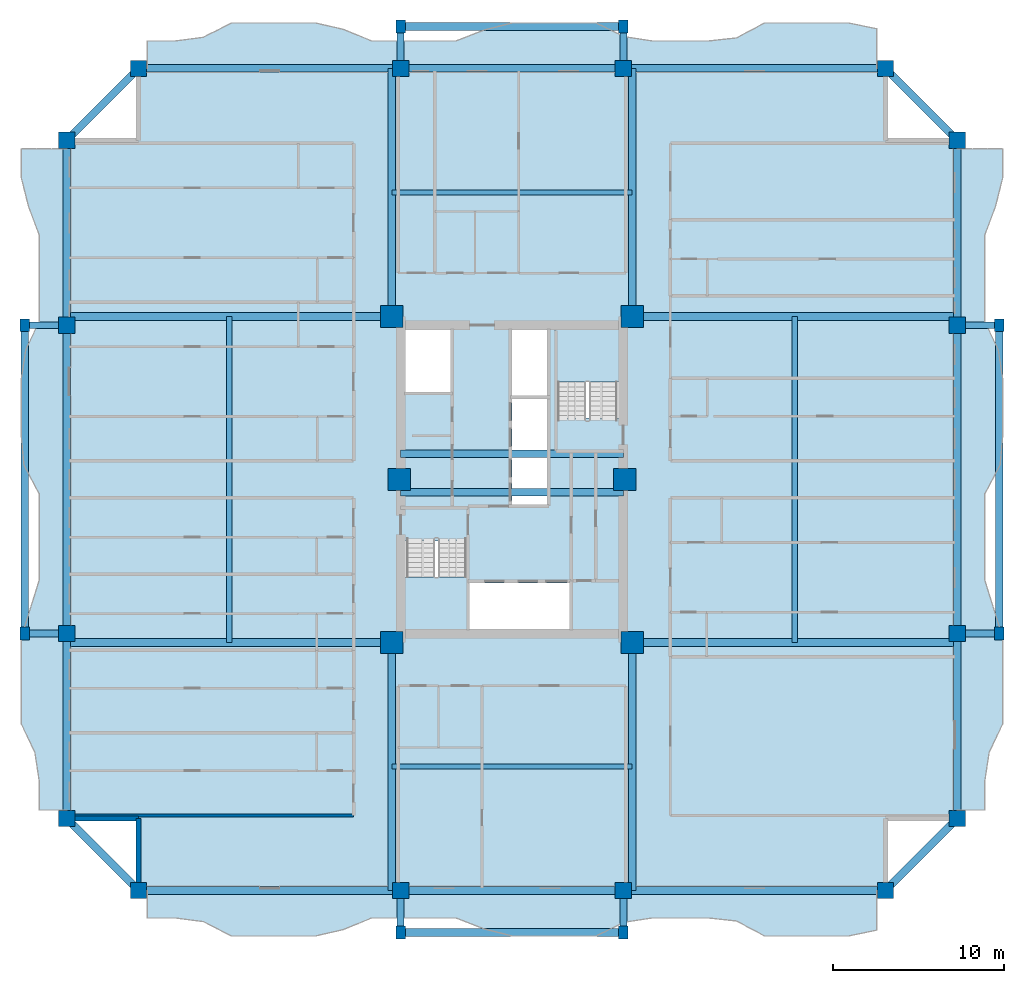
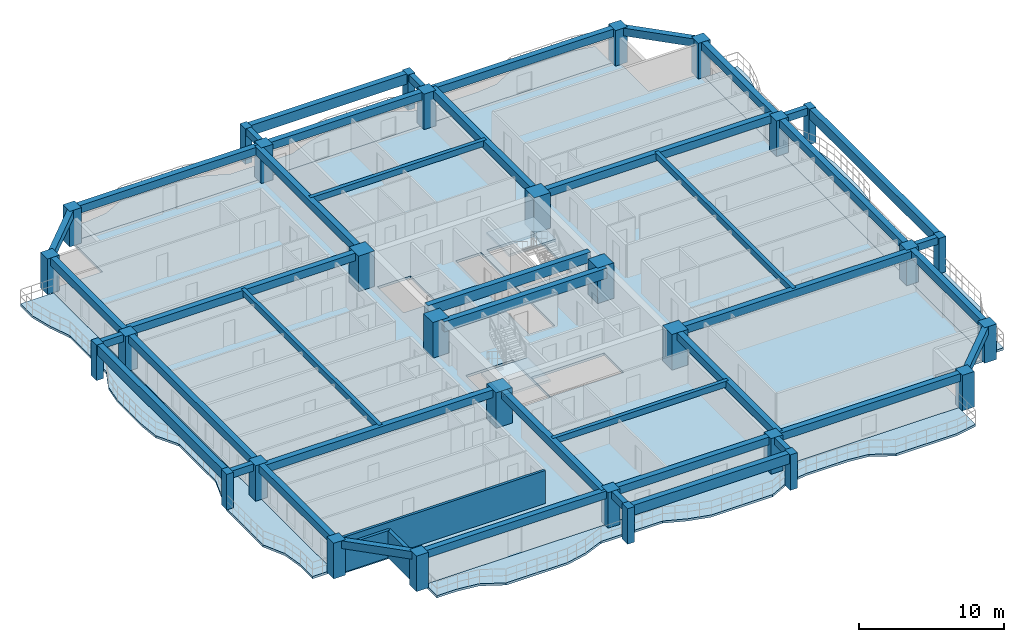
# One storey, part 1 of 13: 42 beams, 30 columns, 7 slabs, 3 walls, 2 elements without a shape of their own.
"""IFC4 building model written with IfcOpenShell, lengths in metres."""

from ifc_helpers import new_model, si_unit, direction, frame, frame_2d, origin, origin_2d, place, context, subcontext, project, spatial, polyline, rectangle, outline, extrude, source, transform, mapped, material, layer, layer_set, material_profile, profile_set, type_object, element, aggregate, save


model = new_model("IFC4")

# Units and contexts
model_context = context("Model", 3, precision=1e-05, world=origin(), true_north=direction((0.0, 1.0)))
body_context = subcontext(model_context, "Body", "Model", "MODEL_VIEW")
ifc_project = project(units=[si_unit("LENGTHUNIT", "METRE"), si_unit("AREAUNIT", "SQUARE_METRE"), si_unit("VOLUMEUNIT", "CUBIC_METRE"), si_unit("PLANEANGLEUNIT", "RADIAN"), si_unit("MASSUNIT", "GRAM", prefix="KILO")], contexts=[model_context])

# Site, building, storey
site_placement = place(None, origin())
site = spatial("IfcSite", under=ifc_project, at=site_placement, CompositionType="ELEMENT")
building_placement = place(site_placement, origin())
building = spatial("IfcBuilding", under=site, at=building_placement, Name="Saelheon Loggia Tower", CompositionType="ELEMENT")
storey_placement = place(building_placement, frame((0.0, 0.0, 132.75)))
storey = spatial("IfcBuildingStorey", under=building, at=storey_placement, Name="L42", CompositionType="ELEMENT", Elevation=132.75)

# Columns
ifc_material_1 = material(Name="Precast Concrete C45/55", Category="concrete")
ifc_material_profile_1 = material_profile(ifc_material_1, rectangle(XDim=0.550048828125, YDim=0.75, at=origin_2d()), Name="RC-550x750")
ifc_profile_set_1 = profile_set([ifc_material_profile_1], Name="Precast Concrete C45/55")
column_type_1 = type_object("IfcColumnType", Name="Col_Loggia_Pilaster_750", PredefinedType="PILASTER", material=ifc_profile_set_1)
shared_shape_1 = source(origin(), body_context, "Body", "SweptSolid", [
    extrude(rectangle(XDim=0.550048828125, YDim=0.75, at=origin_2d()), origin(), (0.0, 0.0, 1.0), 3.0),
])
for number, where, z_axis, x_axis, name in (
    (1, (31.5, 0.550048828125, 0.0), (0.0, 0.0, 1.0), (1.0, 0.0, 0.0), "L42 Loggia Frame Pilaster LP-S1"),
    (2, (44.5, 0.550048828125, 0.0), (0.0, 0.0, 1.0), (1.0, 0.0, 0.0), "L42 Loggia Frame Pilaster LP-S2"),
    (3, (31.5, 53.449951171875, 0.0), (0.0, 0.0, 1.0), (1.0, 0.0, 0.0), "L42 Loggia Frame Pilaster LP-N1"),
    (4, (44.5, 53.449951171875, 0.0), (0.0, 0.0, 1.0), (1.0, 0.0, 0.0), "L42 Loggia Frame Pilaster LP-N2"),
    (5, (66.449951171875, 18.0, 0.0), (0.0, 0.0, 1.0), (1.0, 0.0, 0.0), "L42 Loggia Frame Pilaster LP-E1"),
    (6, (66.449951171875, 36.0, 0.0), (0.0, 0.0, 1.0), (1.0, 0.0, 0.0), "L42 Loggia Frame Pilaster LP-E2"),
    (7, (9.550048828125, 18.0, 0.0), (0.0, 0.0, 1.0), (1.0, 0.0, 0.0), "L42 Loggia Frame Pilaster LP-W1"),
    (8, (9.550048828125, 36.0, 0.0), (0.0, 0.0, 1.0), (1.0, 0.0, 0.0), "L42 Loggia Frame Pilaster LP-W2"),
):
    element("IfcColumn", number, at=place(storey_placement, frame(where, z_axis=z_axis, x_axis=x_axis)), inside=storey, type_object=column_type_1, Name=name, PredefinedType="PILASTER", context=body_context, shape_type="MappedRepresentation", body=[
        mapped(shared_shape_1, transform((0.0, 0.0, 0.0), scale=1.0)),
    ])
ifc_material_2 = material(Name="Concrete C60/75", Category="concrete")
ifc_material_profile_2 = material_profile(ifc_material_2, rectangle(XDim=1.300048828125, YDim=1.300048828125, at=origin_2d()), Name="RC-1300x1300")
ifc_profile_set_2 = profile_set([ifc_material_profile_2], Name="Concrete C60/75")
column_type_2 = type_object("IfcColumnType", Name="Col_Core_RC1300", PredefinedType="COLUMN", material=ifc_profile_set_2)
shared_shape_2 = source(origin(), body_context, "Body", "SweptSolid", [
    extrude(rectangle(XDim=1.300048828125, YDim=1.300048828125, at=origin_2d()), origin(), (0.0, 0.0, 1.0), 3.0),
])
for number, where, z_axis, x_axis, name in (
    (9, (30.97998046875, 17.47998046875, 0.0), (0.0, 0.0, 1.0), (1.0, 0.0, 0.0), "L42 Core Column CR-SW"),
    (10, (45.02001953125, 17.47998046875, 0.0), (0.0, 0.0, 1.0), (1.0, 0.0, 0.0), "L42 Core Column CR-SE"),
    (11, (30.97998046875, 36.52001953125, 0.0), (0.0, 0.0, 1.0), (1.0, 0.0, 0.0), "L42 Core Column CR-NW"),
    (12, (45.02001953125, 36.52001953125, 0.0), (0.0, 0.0, 1.0), (1.0, 0.0, 0.0), "L42 Core Column CR-NE"),
    (13, (31.419921875, 27.0, 0.0), (0.0, 0.0, 1.0), (1.0, 0.0, 0.0), "L42 Core Column CR-MW"),
    (14, (44.580078125, 27.0, 0.0), (0.0, 0.0, 1.0), (1.0, 0.0, 0.0), "L42 Core Column CR-ME"),
):
    element("IfcColumn", number, at=place(storey_placement, frame(where, z_axis=z_axis, x_axis=x_axis)), inside=storey, type_object=column_type_2, Name=name, PredefinedType="COLUMN", context=body_context, shape_type="MappedRepresentation", body=[
        mapped(shared_shape_2, transform((0.0, 0.0, 0.0), scale=1.0)),
    ])
ifc_material_3 = material(Name="Concrete C50/60", Category="concrete")
ifc_material_profile_3 = material_profile(ifc_material_3, rectangle(XDim=0.949951171875, YDim=0.949951171875, at=origin_2d()), Name="RC-950x950")
ifc_profile_set_3 = profile_set([ifc_material_profile_3], Name="Concrete C50/60")
column_type_3 = type_object("IfcColumnType", Name="Col_Perim_RC950", PredefinedType="COLUMN", material=ifc_profile_set_3)
shared_shape_3 = source(origin(), body_context, "Body", "SweptSolid", [
    extrude(rectangle(XDim=0.949951171875, YDim=0.949951171875, at=origin_2d()), origin(), (0.0, 0.0, 1.0), 3.0),
])
for number, where, z_axis, x_axis, name in (
    (15, (16.199951171875, 3.0, 0.0), (0.0, 0.0, 1.0), (1.0, 0.0, 0.0), "L42 Perimeter Column TP-S1"),
    (16, (31.5, 3.0, 0.0), (0.0, 0.0, 1.0), (1.0, 0.0, 0.0), "L42 Perimeter Column TP-SA"),
    (17, (44.5, 3.0, 0.0), (0.0, 0.0, 1.0), (1.0, 0.0, 0.0), "L42 Perimeter Column TP-SB"),
    (18, (59.800048828125, 3.0, 0.0), (0.0, 0.0, 1.0), (1.0, 0.0, 0.0), "L42 Perimeter Column TP-S2"),
    (19, (64.0, 7.199951171875, 0.0), (0.0, 0.0, 1.0), (1.0, 0.0, 0.0), "L42 Perimeter Column TP-E1"),
    (20, (64.0, 18.0, 0.0), (0.0, 0.0, 1.0), (1.0, 0.0, 0.0), "L42 Perimeter Column TP-EA"),
    (21, (64.0, 36.0, 0.0), (0.0, 0.0, 1.0), (1.0, 0.0, 0.0), "L42 Perimeter Column TP-EB"),
    (22, (64.0, 46.800048828125, 0.0), (0.0, 0.0, 1.0), (1.0, 0.0, 0.0), "L42 Perimeter Column TP-E2"),
    (23, (59.800048828125, 51.0, 0.0), (0.0, 0.0, 1.0), (1.0, 0.0, 0.0), "L42 Perimeter Column TP-N2"),
    (24, (44.5, 51.0, 0.0), (0.0, 0.0, 1.0), (1.0, 0.0, 0.0), "L42 Perimeter Column TP-NB"),
    (25, (31.5, 51.0, 0.0), (0.0, 0.0, 1.0), (1.0, 0.0, 0.0), "L42 Perimeter Column TP-NA"),
    (26, (16.199951171875, 51.0, 0.0), (0.0, 0.0, 1.0), (1.0, 0.0, 0.0), "L42 Perimeter Column TP-N1"),
    (27, (12.0, 46.800048828125, 0.0), (0.0, 0.0, 1.0), (1.0, 0.0, 0.0), "L42 Perimeter Column TP-W2"),
    (28, (12.0, 36.0, 0.0), (0.0, 0.0, 1.0), (1.0, 0.0, 0.0), "L42 Perimeter Column TP-WB"),
    (29, (12.0, 18.0, 0.0), (0.0, 0.0, 1.0), (1.0, 0.0, 0.0), "L42 Perimeter Column TP-WA"),
    (30, (12.0, 7.199951171875, 0.0), (0.0, 0.0, 1.0), (1.0, 0.0, 0.0), "L42 Perimeter Column TP-W1"),
):
    element("IfcColumn", number, at=place(storey_placement, frame(where, z_axis=z_axis, x_axis=x_axis)), inside=storey, type_object=column_type_3, Name=name, PredefinedType="COLUMN", context=body_context, shape_type="MappedRepresentation", body=[
        mapped(shared_shape_3, transform((0.0, 0.0, 0.0), scale=1.0)),
    ])

# Beams
ifc_material_profile_4 = material_profile(ifc_material_3, rectangle(XDim=0.449951171875, YDim=0.85009765625, at=origin_2d()), Name="RC-450x850")
ifc_profile_set_4 = profile_set([ifc_material_profile_4], Name="Concrete C50/60")
beam_type_1 = type_object("IfcBeamType", Name="Beam_CoreLintel_RC450x850", PredefinedType="LINTEL", material=ifc_profile_set_4)
shared_shape_4 = source(origin(), body_context, "Body", "SweptSolid", [
    extrude(rectangle(XDim=0.449951171875, YDim=0.85009765625, at=origin_2d()), origin(), (0.0, 0.0, 1.0), 13.0),
])
for number, where, z_axis, x_axis, name in (
    (31, (31.5, 26.25, 2.574951171875), (1.0, 0.0, 0.0), (0.0, 1.0, 0.0), "L42 Core Coupling Lintel 1"),
    (32, (31.5, 28.5, 2.574951171875), (1.0, 0.0, 0.0), (0.0, 1.0, 0.0), "L42 Core Coupling Lintel 2"),
):
    element("IfcBeam", number, at=place(storey_placement, frame(where, z_axis=z_axis, x_axis=x_axis)), inside=storey, type_object=beam_type_1, Name=name, PredefinedType="LINTEL", context=body_context, shape_type="MappedRepresentation", body=[
        mapped(shared_shape_4, transform((0.0, 0.0, 0.0), scale=1.0)),
    ])
ifc_material_profile_5 = material_profile(ifc_material_1, rectangle(XDim=0.449951171875, YDim=0.85009765625, at=origin_2d()), Name="RC-450x850")
ifc_profile_set_5 = profile_set([ifc_material_profile_5], Name="Precast Concrete C45/55")
beam_type_2 = type_object("IfcBeamType", Name="Beam_LoggiaSpandrel_RC450x850", PredefinedType="SPANDREL", material=ifc_profile_set_5)
for number, where, z_axis, x_axis, name in (
    (33, (31.5, 0.550048828125, 2.574951171875), (1.0, 0.0, 0.0), (0.0, 1.0, 0.0), "L42 Loggia Spandrel Beam S"),
    (34, (31.5, 53.449951171875, 2.574951171875), (1.0, 0.0, 0.0), (0.0, 1.0, 0.0), "L42 Loggia Spandrel Beam N"),
):
    element("IfcBeam", number, at=place(storey_placement, frame(where, z_axis=z_axis, x_axis=x_axis)), inside=storey, type_object=beam_type_2, Name=name, PredefinedType="SPANDREL", context=body_context, shape_type="MappedRepresentation", body=[
        mapped(shared_shape_4, transform((0.0, 0.0, 0.0), scale=1.0)),
    ])
ifc_material_profile_6 = material_profile(ifc_material_1, rectangle(XDim=0.39990234375, YDim=0.60009765625, at=origin_2d()), Name="RC-400x600")
ifc_profile_set_6 = profile_set([ifc_material_profile_6], Name="Precast Concrete C45/55")
beam_type_3 = type_object("IfcBeamType", Name="Beam_LoggiaTie_RC400x600", PredefinedType="BEAM", material=ifc_profile_set_6)
shared_shape_5 = source(origin(), body_context, "Body", "SweptSolid", [
    extrude(rectangle(XDim=0.39990234375, YDim=0.60009765625, at=origin_2d()), origin(), (0.0, 0.0, 1.0), 2.449951171875),
])
for number, where, z_axis, x_axis, name in (
    (35, (31.5, 3.0, 2.699951171875), (0.0, -1.0, 0.0), (1.0, 0.0, 0.0), "L42 Loggia Frame Tie Beam LP-S1"),
    (36, (44.5, 3.0, 2.699951171875), (0.0, -1.0, 0.0), (1.0, 0.0, 0.0), "L42 Loggia Frame Tie Beam LP-S2"),
    (37, (31.5, 51.0, 2.699951171875), (0.0, 1.0, 0.0), (-1.0, 0.0, 0.0), "L42 Loggia Frame Tie Beam LP-N1"),
    (38, (44.5, 51.0, 2.699951171875), (0.0, 1.0, 0.0), (-1.0, 0.0, 0.0), "L42 Loggia Frame Tie Beam LP-N2"),
    (39, (64.0, 18.0, 2.699951171875), (1.0, 0.0, 0.0), (0.0, 1.0, 0.0), "L42 Loggia Frame Tie Beam LP-E1"),
    (40, (64.0, 36.0, 2.699951171875), (1.0, 0.0, 0.0), (0.0, 1.0, 0.0), "L42 Loggia Frame Tie Beam LP-E2"),
    (41, (12.0, 18.0, 2.699951171875), (-1.0, 0.0, 0.0), (0.0, -1.0, 0.0), "L42 Loggia Frame Tie Beam LP-W1"),
    (42, (12.0, 36.0, 2.699951171875), (-1.0, 0.0, 0.0), (0.0, -1.0, 0.0), "L42 Loggia Frame Tie Beam LP-W2"),
):
    element("IfcBeam", number, at=place(storey_placement, frame(where, z_axis=z_axis, x_axis=x_axis)), inside=storey, type_object=beam_type_3, Name=name, PredefinedType="BEAM", context=body_context, shape_type="MappedRepresentation", body=[
        mapped(shared_shape_5, transform((0.0, 0.0, 0.0), scale=1.0)),
    ])
shared_shape_6 = source(origin(), body_context, "Body", "SweptSolid", [
    extrude(rectangle(XDim=0.449951171875, YDim=0.85009765625, at=origin_2d()), origin(), (0.0, 0.0, 1.0), 18.0),
])
for number, where, z_axis, x_axis, name in (
    (43, (66.449951171875, 18.0, 2.574951171875), (0.0, 1.0, 0.0), (-1.0, 0.0, 0.0), "L42 Loggia Spandrel Beam E"),
    (44, (9.550048828125, 18.0, 2.574951171875), (0.0, 1.0, 0.0), (-1.0, 0.0, 0.0), "L42 Loggia Spandrel Beam W"),
):
    element("IfcBeam", number, at=place(storey_placement, frame(where, z_axis=z_axis, x_axis=x_axis)), inside=storey, type_object=beam_type_2, Name=name, PredefinedType="SPANDREL", context=body_context, shape_type="MappedRepresentation", body=[
        mapped(shared_shape_6, transform((0.0, 0.0, 0.0), scale=1.0)),
    ])
ifc_material_4 = material(Name="Concrete C40/50", Category="concrete")
ifc_material_profile_7 = material_profile(ifc_material_4, rectangle(XDim=0.449951171875, YDim=0.64990234375, at=origin_2d()), Name="RC-450x650")
ifc_profile_set_7 = profile_set([ifc_material_profile_7], Name="Concrete C40/50")
beam_type_4 = type_object("IfcBeamType", Name="Beam_PerimTower_RC450x650", PredefinedType="BEAM", material=ifc_profile_set_7)
shared_shape_7 = source(origin(), body_context, "Body", "SweptSolid", [
    extrude(rectangle(XDim=0.449951171875, YDim=0.64990234375, at=origin_2d()), origin(), (0.0, 0.0, 1.0), 15.300048828125),
])
for number, where, z_axis, x_axis, name in (
    (45, (16.199951171875, 3.0, 2.675048828125), (1.0, 0.0, 0.0), (0.0, 1.0, 0.0), "L42 Perimeter Frame Girder 01"),
    (46, (44.5, 3.0, 2.675048828125), (1.0, 0.0, 0.0), (0.0, 1.0, 0.0), "L42 Perimeter Frame Girder 03"),
    (47, (59.800048828125, 51.0, 2.675048828125), (-1.0, 0.0, 0.0), (0.0, -1.0, 0.0), "L42 Perimeter Frame Girder 09"),
    (48, (31.5, 51.0, 2.675048828125), (-1.0, 0.0, 0.0), (0.0, -1.0, 0.0), "L42 Perimeter Frame Girder 11"),
):
    element("IfcBeam", number, at=place(storey_placement, frame(where, z_axis=z_axis, x_axis=x_axis)), inside=storey, type_object=beam_type_4, Name=name, PredefinedType="BEAM", context=body_context, shape_type="MappedRepresentation", body=[
        mapped(shared_shape_7, transform((0.0, 0.0, 0.0), scale=1.0)),
    ])
shared_shape_8 = source(origin(), body_context, "Body", "SweptSolid", [
    extrude(rectangle(XDim=0.449951171875, YDim=0.64990234375, at=origin_2d()), origin(), (0.0, 0.0, 1.0), 13.0),
])
for number, where, z_axis, x_axis, name in (
    (49, (31.5, 3.0, 2.675048828125), (1.0, 0.0, 0.0), (0.0, 1.0, 0.0), "L42 Perimeter Frame Girder 02"),
    (50, (44.5, 51.0, 2.675048828125), (-1.0, 0.0, 0.0), (0.0, -1.0, 0.0), "L42 Perimeter Frame Girder 10"),
):
    element("IfcBeam", number, at=place(storey_placement, frame(where, z_axis=z_axis, x_axis=x_axis)), inside=storey, type_object=beam_type_4, Name=name, PredefinedType="BEAM", context=body_context, shape_type="MappedRepresentation", body=[
        mapped(shared_shape_8, transform((0.0, 0.0, 0.0), scale=1.0)),
    ])
shared_shape_9 = source(origin(), body_context, "Body", "SweptSolid", [
    extrude(rectangle(XDim=0.449951171875, YDim=0.64990234375, at=origin_2d()), origin(), (0.0, 0.0, 1.0), 5.939697265625),
])
for number, where, z_axis, x_axis, name in (
    (51, (59.800048828125, 3.0, 2.675048828125), (0.707106781187, 0.707106781187, 0.0), (-0.707106781187, 0.707106781187, 0.0), "L42 Perimeter Frame Girder 04"),
    (52, (64.0, 46.800048828125, 2.675048828125), (-0.707106781187, 0.707106781187, 0.0), (-0.707106781187, -0.707106781187, 0.0), "L42 Perimeter Frame Girder 08"),
    (53, (16.199951171875, 51.0, 2.675048828125), (-0.707106781187, -0.707106781187, 0.0), (0.707106781187, -0.707106781187, 0.0), "L42 Perimeter Frame Girder 12"),
    (54, (12.0, 7.199951171875, 2.675048828125), (0.707106781187, -0.707106781187, 0.0), (0.707106781187, 0.707106781187, 0.0), "L42 Perimeter Frame Girder 16"),
):
    element("IfcBeam", number, at=place(storey_placement, frame(where, z_axis=z_axis, x_axis=x_axis)), inside=storey, type_object=beam_type_4, Name=name, PredefinedType="BEAM", context=body_context, shape_type="MappedRepresentation", body=[
        mapped(shared_shape_9, transform((0.0, 0.0, 0.0), scale=1.0)),
    ])
shared_shape_10 = source(origin(), body_context, "Body", "SweptSolid", [
    extrude(rectangle(XDim=0.449951171875, YDim=0.64990234375, at=origin_2d()), origin(), (0.0, 0.0, 1.0), 10.800048828125),
])
for number, where, z_axis, x_axis, name in (
    (55, (64.0, 7.199951171875, 2.675048828125), (0.0, 1.0, 0.0), (-1.0, 0.0, 0.0), "L42 Perimeter Frame Girder 05"),
    (56, (64.0, 36.0, 2.675048828125), (0.0, 1.0, 0.0), (-1.0, 0.0, 0.0), "L42 Perimeter Frame Girder 07"),
    (57, (12.0, 46.800048828125, 2.675048828125), (0.0, -1.0, 0.0), (1.0, 0.0, 0.0), "L42 Perimeter Frame Girder 13"),
    (58, (12.0, 18.0, 2.675048828125), (0.0, -1.0, 0.0), (1.0, 0.0, 0.0), "L42 Perimeter Frame Girder 15"),
):
    element("IfcBeam", number, at=place(storey_placement, frame(where, z_axis=z_axis, x_axis=x_axis)), inside=storey, type_object=beam_type_4, Name=name, PredefinedType="BEAM", context=body_context, shape_type="MappedRepresentation", body=[
        mapped(shared_shape_10, transform((0.0, 0.0, 0.0), scale=1.0)),
    ])
shared_shape_11 = source(origin(), body_context, "Body", "SweptSolid", [
    extrude(rectangle(XDim=0.449951171875, YDim=0.64990234375, at=origin_2d()), origin(), (0.0, 0.0, 1.0), 18.0),
])
for number, where, z_axis, x_axis, name in (
    (59, (64.0, 18.0, 2.675048828125), (0.0, 1.0, 0.0), (-1.0, 0.0, 0.0), "L42 Perimeter Frame Girder 06"),
    (60, (12.0, 36.0, 2.675048828125), (0.0, -1.0, 0.0), (1.0, 0.0, 0.0), "L42 Perimeter Frame Girder 14"),
):
    element("IfcBeam", number, at=place(storey_placement, frame(where, z_axis=z_axis, x_axis=x_axis)), inside=storey, type_object=beam_type_4, Name=name, PredefinedType="BEAM", context=body_context, shape_type="MappedRepresentation", body=[
        mapped(shared_shape_11, transform((0.0, 0.0, 0.0), scale=1.0)),
    ])
ifc_material_profile_8 = material_profile(ifc_material_4, rectangle(XDim=0.449951171875, YDim=0.64990234375, at=origin_2d()), Name="RC-450x650")
ifc_profile_set_8 = profile_set([ifc_material_profile_8], Name="Concrete C40/50")
beam_type_5 = type_object("IfcBeamType", Name="Beam_TowerGirder_RC450x650", PredefinedType="BEAM", material=ifc_profile_set_8)
shared_shape_12 = source(origin(), body_context, "Body", "SweptSolid", [
    extrude(rectangle(XDim=0.449951171875, YDim=0.64990234375, at=origin_2d()), origin(), (0.0, 0.0, 1.0), 14.47998046875),
])
for number, where, z_axis, x_axis, name in (
    (61, (30.97998046875, 17.47998046875, 2.675048828125), (0.0, -1.0, 0.0), (1.0, 0.0, 0.0), "L42 Radial Floor Girder RAD-SW-S"),
    (62, (45.02001953125, 17.47998046875, 2.675048828125), (0.0, -1.0, 0.0), (1.0, 0.0, 0.0), "L42 Radial Floor Girder RAD-SE-S"),
    (63, (30.97998046875, 36.52001953125, 2.675048828125), (0.0, 1.0, 0.0), (-1.0, 0.0, 0.0), "L42 Radial Floor Girder RAD-NW-N"),
    (64, (45.02001953125, 36.52001953125, 2.675048828125), (0.0, 1.0, 0.0), (-1.0, 0.0, 0.0), "L42 Radial Floor Girder RAD-NE-N"),
):
    element("IfcBeam", number, at=place(storey_placement, frame(where, z_axis=z_axis, x_axis=x_axis)), inside=storey, type_object=beam_type_5, Name=name, PredefinedType="BEAM", context=body_context, shape_type="MappedRepresentation", body=[
        mapped(shared_shape_12, transform((0.0, 0.0, 0.0), scale=1.0)),
    ])
shared_shape_13 = source(origin(), body_context, "Body", "SweptSolid", [
    extrude(rectangle(XDim=0.449951171875, YDim=0.64990234375, at=origin_2d()), origin(), (0.0, 0.0, 1.0), 18.97998046875),
])
for number, where, z_axis, x_axis, name in (
    (65, (30.97998046875, 17.47998046875, 2.675048828125), (-1.0, 0.0, 0.0), (0.0, -1.0, 0.0), "L42 Radial Floor Girder RAD-SW-W"),
    (66, (30.97998046875, 36.52001953125, 2.675048828125), (-1.0, 0.0, 0.0), (0.0, -1.0, 0.0), "L42 Radial Floor Girder RAD-NW-W"),
    (67, (45.02001953125, 17.47998046875, 2.675048828125), (1.0, 0.0, 0.0), (0.0, 1.0, 0.0), "L42 Radial Floor Girder RAD-SE-E"),
    (68, (45.02001953125, 36.52001953125, 2.675048828125), (1.0, 0.0, 0.0), (0.0, 1.0, 0.0), "L42 Radial Floor Girder RAD-NE-E"),
):
    element("IfcBeam", number, at=place(storey_placement, frame(where, z_axis=z_axis, x_axis=x_axis)), inside=storey, type_object=beam_type_5, Name=name, PredefinedType="BEAM", context=body_context, shape_type="MappedRepresentation", body=[
        mapped(shared_shape_13, transform((0.0, 0.0, 0.0), scale=1.0)),
    ])
ifc_material_profile_9 = material_profile(ifc_material_4, rectangle(XDim=0.300048828125, YDim=0.5, at=origin_2d()), Name="RC-300x500")
ifc_profile_set_9 = profile_set([ifc_material_profile_9], Name="Concrete C40/50")
beam_type_6 = type_object("IfcBeamType", Name="Beam_Joist_RC300x500", PredefinedType="JOIST", material=ifc_profile_set_9)
shared_shape_14 = source(origin(), body_context, "Body", "SweptSolid", [
    extrude(rectangle(XDim=0.300048828125, YDim=0.5, at=origin_2d()), origin(), (0.0, 0.0, 1.0), 14.0400390625),
])
for number, where, z_axis, x_axis, name in (
    (69, (30.97998046875, 10.239990234375, 2.75), (1.0, 0.0, 0.0), (0.0, 1.0, 0.0), "L42 South Floor Joist"),
    (70, (30.97998046875, 43.760009765625, 2.75), (1.0, 0.0, 0.0), (0.0, 1.0, 0.0), "L42 North Floor Joist"),
):
    element("IfcBeam", number, at=place(storey_placement, frame(where, z_axis=z_axis, x_axis=x_axis)), inside=storey, type_object=beam_type_6, Name=name, PredefinedType="JOIST", context=body_context, shape_type="MappedRepresentation", body=[
        mapped(shared_shape_14, transform((0.0, 0.0, 0.0), scale=1.0)),
    ])
shared_shape_15 = source(origin(), body_context, "Body", "SweptSolid", [
    extrude(rectangle(XDim=0.300048828125, YDim=0.5, at=origin_2d()), origin(), (0.0, 0.0, 1.0), 19.0400390625),
])
for number, where, z_axis, x_axis, name in (
    (71, (21.489990234375, 17.47998046875, 2.75), (0.0, 1.0, 0.0), (-1.0, 0.0, 0.0), "L42 West Floor Joist"),
    (72, (54.510009765625, 17.47998046875, 2.75), (0.0, 1.0, 0.0), (-1.0, 0.0, 0.0), "L42 East Floor Joist"),
):
    element("IfcBeam", number, at=place(storey_placement, frame(where, z_axis=z_axis, x_axis=x_axis)), inside=storey, type_object=beam_type_6, Name=name, PredefinedType="JOIST", context=body_context, shape_type="MappedRepresentation", body=[
        mapped(shared_shape_15, transform((0.0, 0.0, 0.0), scale=1.0)),
    ])

# Slabs
ifc_layer_1 = layer(ifc_material_1, 0.18994140625)
ifc_layer_set_1 = layer_set([ifc_layer_1], Name="Precast Concrete C45/55")
slab_type_1 = type_object("IfcSlabType", Name="Slab_Loggia_Ext_190", PredefinedType="FLOOR", material=ifc_layer_set_1)
slab_1_placement = place(storey_placement, frame((0.0, 0.0, -0.18994140625)))
element("IfcSlab", 73, at=slab_1_placement, inside=storey, type_object=slab_type_1, Name="L42 Loggia Balcony Slab S", PredefinedType="FLOOR", context=body_context, shape_type="SweptSolid", body=[
    extrude(outline(polyline([(16.699951171875, 1.39990234375), (18.33837890625, 1.39990234375), (19.976806640625, 1.185302734375), (21.615478515625, 0.35009765625), (23.25390625, 0.35009765625), (24.892333984375, 0.35009765625), (26.53076171875, 0.35009765625), (28.169189453125, 0.724609375), (29.8076171875, 1.39990234375), (31.4462890625, 1.39990234375), (33.084716796875, 1.39990234375), (34.72314453125, 1.39990234375), (36.361572265625, 0.76220703125), (38.0, 0.35009765625), (39.638427734375, 0.35009765625), (41.27685546875, 0.35009765625), (42.915283203125, 0.35009765625), (44.5537109375, 1.148681640625), (46.1923828125, 1.39990234375), (47.830810546875, 1.39990234375), (49.46923828125, 1.39990234375), (51.107666015625, 1.2216796875), (52.74609375, 0.35009765625), (54.384521484375, 0.35009765625), (56.023193359375, 0.35009765625), (57.66162109375, 0.35009765625), (59.300048828125, 0.687255859375), (59.300048828125, 3.0), (16.699951171875, 3.0), (16.699951171875, 1.39990234375)])), origin(), (0.0, 0.0, 1.0), 0.18994140625),
])
slab_2_placement = place(storey_placement, frame((0.0, 0.0, -0.18994140625)))
element("IfcSlab", 74, at=slab_2_placement, inside=storey, type_object=slab_type_1, Name="L42 Loggia Balcony Slab N", PredefinedType="FLOOR", context=body_context, shape_type="SweptSolid", body=[
    extrude(outline(polyline([(16.699951171875, 51.0), (59.300048828125, 51.0), (59.300048828125, 53.312744140625), (57.66162109375, 53.64990234375), (56.023193359375, 53.64990234375), (54.384521484375, 53.64990234375), (52.74609375, 53.64990234375), (51.107666015625, 52.7783203125), (49.46923828125, 52.60009765625), (47.830810546875, 52.60009765625), (46.1923828125, 52.60009765625), (44.5537109375, 52.851318359375), (42.915283203125, 53.64990234375), (41.27685546875, 53.64990234375), (39.638427734375, 53.64990234375), (38.0, 53.64990234375), (36.361572265625, 53.23779296875), (34.72314453125, 52.60009765625), (33.084716796875, 52.60009765625), (31.4462890625, 52.60009765625), (29.8076171875, 52.60009765625), (28.169189453125, 53.275390625), (26.53076171875, 53.64990234375), (24.892333984375, 53.64990234375), (23.25390625, 53.64990234375), (21.615478515625, 53.64990234375), (19.976806640625, 52.814697265625), (18.33837890625, 52.60009765625), (16.699951171875, 52.60009765625), (16.699951171875, 51.0)])), origin(), (0.0, 0.0, 1.0), 0.18994140625),
])
slab_3_placement = place(storey_placement, frame((0.0, 0.0, -0.18994140625)))
element("IfcSlab", 75, at=slab_3_placement, inside=storey, type_object=slab_type_1, Name="L42 Loggia Balcony Slab E", PredefinedType="FLOOR", context=body_context, shape_type="SweptSolid", body=[
    extrude(outline(polyline([(64.0, 7.699951171875), (65.60009765625, 7.699951171875), (65.60009765625, 9.37841796875), (65.856689453125, 11.056396484375), (66.64990234375, 12.73486328125), (66.64990234375, 14.4130859375), (66.64990234375, 16.09130859375), (66.64990234375, 17.76953125), (66.1240234375, 19.44775390625), (65.60009765625, 21.126220703125), (65.60009765625, 22.80419921875), (65.60009765625, 24.482666015625), (65.601318359375, 26.160888671875), (66.49365234375, 27.839111328125), (66.64990234375, 29.517333984375), (66.64990234375, 31.19580078125), (66.64990234375, 32.873779296875), (66.39208984375, 34.55224609375), (65.60009765625, 36.23046875), (65.60009765625, 37.90869140625), (65.60009765625, 39.5869140625), (65.60009765625, 41.26513671875), (66.22802734375, 42.943603515625), (66.64990234375, 44.62158203125), (66.64990234375, 46.300048828125), (64.0, 46.300048828125), (64.0, 7.699951171875)])), origin(), (0.0, 0.0, 1.0), 0.18994140625),
])
slab_4_placement = place(storey_placement, frame((0.0, 0.0, -0.18994140625)))
element("IfcSlab", 76, at=slab_4_placement, inside=storey, type_object=slab_type_1, Name="L42 Loggia Balcony Slab W", PredefinedType="FLOOR", context=body_context, shape_type="SweptSolid", body=[
    extrude(outline(polyline([(12.0, 7.699951171875), (12.0, 46.300048828125), (9.35009765625, 46.300048828125), (9.35009765625, 44.62158203125), (9.77197265625, 42.943603515625), (10.39990234375, 41.26513671875), (10.39990234375, 39.5869140625), (10.39990234375, 37.90869140625), (10.39990234375, 36.23046875), (9.60791015625, 34.55224609375), (9.35009765625, 32.873779296875), (9.35009765625, 31.19580078125), (9.35009765625, 29.517333984375), (9.50634765625, 27.839111328125), (10.398681640625, 26.160888671875), (10.39990234375, 24.482666015625), (10.39990234375, 22.80419921875), (10.39990234375, 21.126220703125), (9.8759765625, 19.44775390625), (9.35009765625, 17.76953125), (9.35009765625, 16.09130859375), (9.35009765625, 14.4130859375), (9.35009765625, 12.73486328125), (10.143310546875, 11.056396484375), (10.39990234375, 9.37841796875), (10.39990234375, 7.699951171875), (12.0, 7.699951171875)])), origin(), (0.0, 0.0, 1.0), 0.18994140625),
])

# Stair, slab
stair_type = type_object("IfcStairType", Name="Stair_Escape_Core", PredefinedType="HALF_TURN_STAIR", material=ifc_material_4)
stair_1_placement = place(storey_placement, origin())
stair_1 = element("IfcStair", 77, at=stair_1_placement, inside=storey, type_object=stair_type, Name="L42 Special Escape Stair ST1", PredefinedType="HALF_TURN_STAIR")
ifc_layer_2 = layer(ifc_material_4, 0.199951171875)
ifc_layer_set_2 = layer_set([ifc_layer_2], Name="Concrete C40/50")
slab_type_2 = type_object("IfcSlabType", Name="Slab_StairLanding_ST1", PredefinedType="LANDING", material=ifc_layer_set_2)
slab_5_placement = place(storey_placement, frame((0.0, 0.0, 1.300048828125)))
slab_5 = element("IfcSlab", 78, at=slab_5_placement, type_object=slab_type_2, Name="ST1 landing 1", PredefinedType="LANDING", context=body_context, shape_type="SweptSolid", body=[
    extrude(outline(polyline([(31.7099609375, 21.31005859375), (31.7099609375, 18.2099609375), (35.469970703125, 18.2099609375), (35.469970703125, 21.31005859375), (31.7099609375, 21.31005859375)])), origin(), (0.0, 0.0, 1.0), 0.199951171875),
])
aggregate(stair_1, [slab_5])

stair_2_placement = place(storey_placement, origin())
stair_2 = element("IfcStair", 79, at=stair_2_placement, inside=storey, type_object=stair_type, Name="L42 Special Escape Stair ST2", PredefinedType="HALF_TURN_STAIR")
ifc_layer_3 = layer(ifc_material_4, 0.199951171875)
ifc_layer_set_3 = layer_set([ifc_layer_3], Name="Concrete C40/50")
slab_type_3 = type_object("IfcSlabType", Name="Slab_StairLanding_ST2", PredefinedType="LANDING", material=ifc_layer_set_3)
slab_6_placement = place(storey_placement, frame((0.0, 0.0, 1.300048828125)))
slab_6 = element("IfcSlab", 80, at=slab_6_placement, type_object=slab_type_3, Name="ST2 landing 1", PredefinedType="LANDING", context=body_context, shape_type="SweptSolid", body=[
    extrude(outline(polyline([(44.2900390625, 32.68994140625), (44.2900390625, 35.7900390625), (40.530029296875, 35.7900390625), (40.530029296875, 32.68994140625), (44.2900390625, 32.68994140625)])), origin(), (0.0, 0.0, 1.0), 0.199951171875),
])
aggregate(stair_2, [slab_6])

# Slab
ifc_layer_4 = layer(ifc_material_4, 0.2099609375)
ifc_layer_set_4 = layer_set([ifc_layer_4], Name="Concrete C40/50")
slab_type_4 = type_object("IfcSlabType", Name="Slab_Tower_210", PredefinedType="FLOOR", material=ifc_layer_set_4)
slab_7_placement = place(storey_placement, frame((0.0, 0.0, -0.2099609375)))
element("IfcSlab", 81, at=slab_7_placement, inside=storey, type_object=slab_type_4, Name="L42 Tower Floor Slab", PredefinedType="FLOOR", context=body_context, shape_type="SweptSolid", body=[
    extrude(outline(polyline([(16.199951171875, 3.0), (59.800048828125, 3.0), (59.800048828125, 7.199951171875), (64.0, 7.199951171875), (64.0, 46.800048828125), (59.800048828125, 46.800048828125), (59.800048828125, 51.0), (16.199951171875, 51.0), (16.199951171875, 46.800048828125), (12.0, 46.800048828125), (12.0, 7.199951171875), (16.199951171875, 7.199951171875), (16.199951171875, 3.0)]), holes=[polyline([(31.699951171875, 23.409912109375), (31.699951171875, 18.199951171875), (35.47998046875, 18.199951171875), (35.47998046875, 23.409912109375), (31.699951171875, 23.409912109375)]), polyline([(44.300048828125, 30.590087890625), (44.300048828125, 35.800048828125), (40.52001953125, 35.800048828125), (40.52001953125, 30.590087890625), (44.300048828125, 30.590087890625)]), polyline([(35.530029296875, 18.27490234375), (41.35009765625, 18.27490234375), (41.35009765625, 20.9599609375), (35.530029296875, 20.9599609375), (35.530029296875, 18.27490234375)]), polyline([(31.77490234375, 32.1201171875), (34.419921875, 32.1201171875), (34.419921875, 35.72509765625), (31.77490234375, 35.72509765625), (31.77490234375, 32.1201171875)]), polyline([(38.0, 31.89990234375), (40.050048828125, 31.89990234375), (40.050048828125, 35.72509765625), (38.0, 35.72509765625), (38.0, 31.89990234375)]), polyline([(38.0, 25.5400390625), (40.050048828125, 25.5400390625), (40.050048828125, 31.699951171875), (38.0, 31.699951171875), (38.0, 25.5400390625)])]), origin(), (0.0, 0.0, 1.0), 0.2099609375),
])

# Walls
ifc_material_5 = material(Name="Architectural Precast Concrete C40/50", Category="concrete")
ifc_layer_5 = layer(ifc_material_5, 0.280029296875)
ifc_layer_set_5 = layer_set([ifc_layer_5], Name="Architectural Precast Concrete C40/50")
wall_type_1 = type_object("IfcWallType", Name="Wall_Ext_Loggia_280", PredefinedType="SOLIDWALL", material=ifc_layer_set_5)
for number, where, z_axis, x_axis, name in (
    (82, (16.199951171875, 3.080078125, 0.0), (0.0, 0.0, 1.0), (0.0, 1.0, 0.0), "L42 Corner Notch Precast Wall SW1"),
    (83, (12.080078125, 7.199951171875, 0.0), (0.0, 0.0, 1.0), (1.0, 0.0, 0.0), "L42 Corner Notch Precast Wall SW2"),
):
    element("IfcWall", number, at=place(storey_placement, frame(where, z_axis=z_axis, x_axis=x_axis)), inside=storey, type_object=wall_type_1, Name=name, PredefinedType="SOLIDWALL", context=body_context, shape_type="SweptSolid", body=[
        extrude(rectangle(XDim=4.119873046875, YDim=0.280029296875, at=frame_2d((2.06005859375, 0.0))), origin(), (0.0, 0.0, 1.0), 2.280029296875),
    ])
ifc_material_6 = material(Name="Double Acoustic Stud and Fireboard Partition", Category="gypsum")
ifc_layer_6 = layer(ifc_material_6, 0.199951171875)
ifc_layer_set_6 = layer_set([ifc_layer_6], Name="Double Acoustic Stud and Fireboard Partition")
wall_type_2 = type_object("IfcWallType", Name="Wall_Party_200", PredefinedType="PARTITIONING", material=ifc_layer_set_6)
wall_placement = place(storey_placement, frame((28.75, 7.3798828125, 0.0), z_axis=(0.0, 0.0, 1.0), x_axis=(-1.0, 0.0, 0.0)))
element("IfcWall", 84, at=wall_placement, inside=storey, type_object=wall_type_2, Name="L42 WS Partition U01", PredefinedType="PARTITIONING", context=body_context, shape_type="SweptSolid", body=[
    extrude(rectangle(XDim=16.60009765625, YDim=0.199951171875, at=frame_2d((8.300048828125, 0.0))), origin(), (0.0, 0.0, 1.0), 2.7900390625),
])

save(model, "model.ifc")
